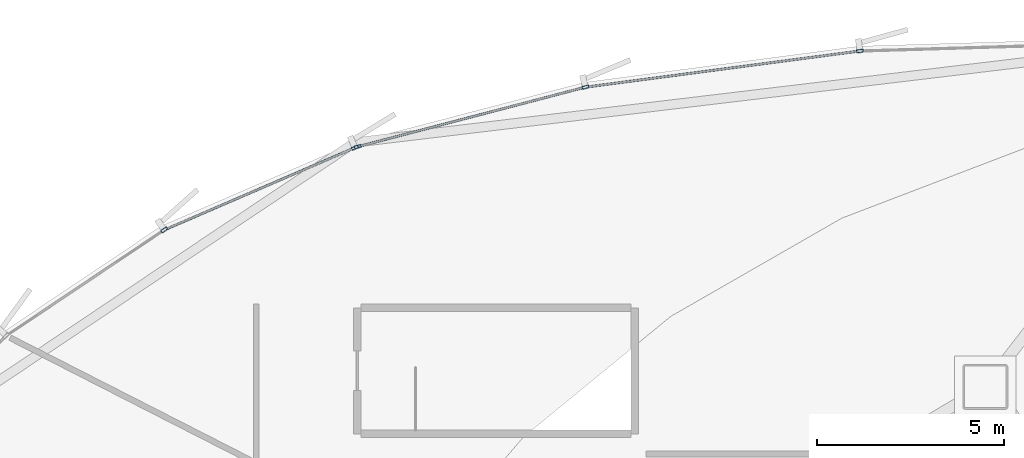
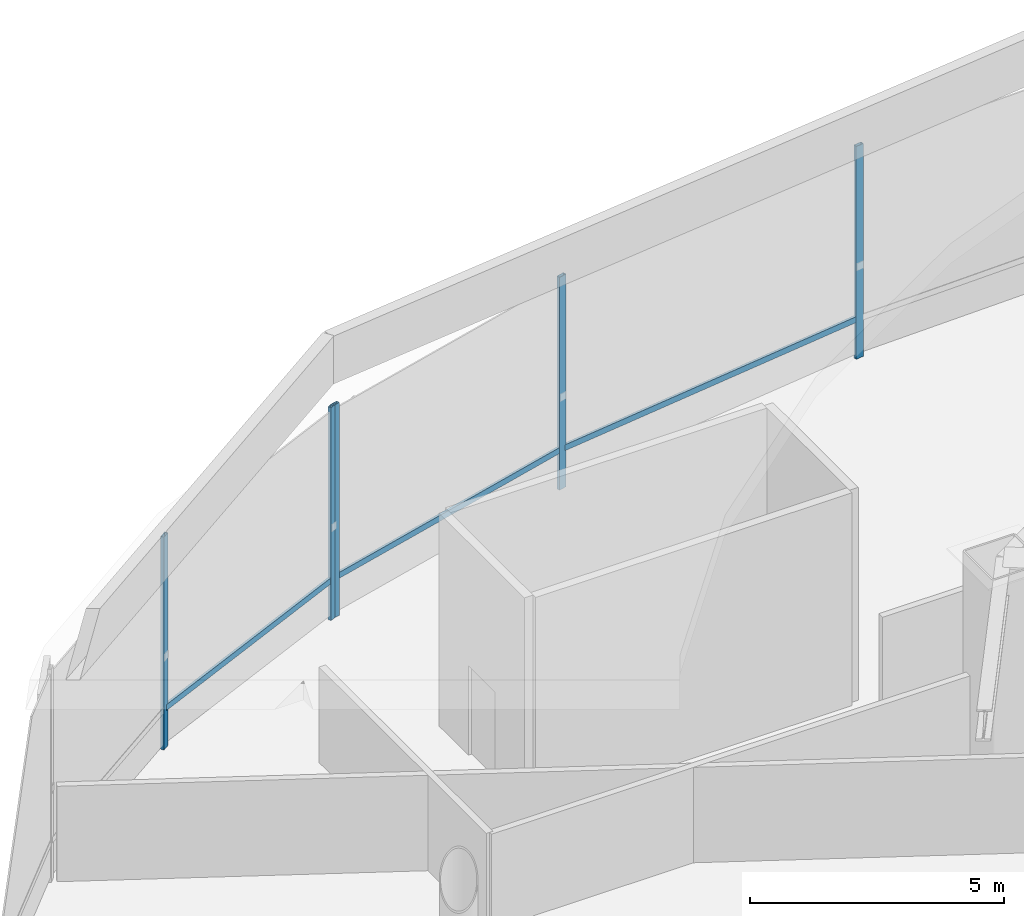
# One storey, part 14 of 36: 8 members, 2 elements without a shape of their own.
"""IFC4 building model written with IfcOpenShell, lengths in metres."""

from ifc_helpers import new_model, si_unit, direction, frame, origin, origin_2d, place, context, subcontext, project, spatial, hollow_rectangle, extrude, source, transform, mapped, material, layer, layer_set, material_profile, profile_set, type_object, element, aggregate, save


model = new_model("IFC4")

# Units and contexts
model_context = context("Model", 3, precision=1e-05, world=origin(), true_north=direction((0.0, 1.0)))
body_context = subcontext(model_context, "Body", "Model", "MODEL_VIEW")
ifc_project = project(units=[si_unit("LENGTHUNIT", "METRE"), si_unit("AREAUNIT", "SQUARE_METRE"), si_unit("VOLUMEUNIT", "CUBIC_METRE"), si_unit("PLANEANGLEUNIT", "RADIAN"), si_unit("MASSUNIT", "GRAM", prefix="KILO"), si_unit("THERMODYNAMICTEMPERATUREUNIT", "KELVIN")], contexts=[model_context])

# Site, building, storey
site_placement = place(None, origin())
site = spatial("IfcSite", under=ifc_project, at=site_placement, CompositionType="ELEMENT")
building_placement = place(site_placement, origin())
building = spatial("IfcBuilding", under=site, at=building_placement, Name="Kethvar Cultural Tower", CompositionType="ELEMENT")
storey_placement = place(building_placement, frame((0.0, 0.0, 24.0)))
storey = spatial("IfcBuildingStorey", under=building, at=storey_placement, Name="L05", CompositionType="ELEMENT", Elevation=24.0)

# Curtain wall, member
ifc_material = material(Name="Aluminium 6063-T6", Category="aluminium")
ifc_layer = layer(ifc_material, 0.179931640625, Name="Aluminium 6063-T6", Category="aluminium")
ifc_layer_set = layer_set([ifc_layer], Name="Aluminium 6063-T6 (180 mm)")
curtain_wall_type = type_object("IfcCurtainWallType", Name="CW-SYS-01-POD", PredefinedType="NOTDEFINED", material=ifc_layer_set)
curtain_wall_1_placement = place(storey_placement, origin())
curtain_wall_1 = element("IfcCurtainWall", 1, at=curtain_wall_1_placement, inside=storey, type_object=curtain_wall_type, Name="L05 Curtain Wall Run 03", PredefinedType="NOTDEFINED")
ifc_material_profile_1 = material_profile(ifc_material, hollow_rectangle(XDim=0.06005859375, YDim=0.139892578125, WallThickness=0.0048828125, at=origin_2d()), Name="Aluminium 6063-T6 — RHS140x60x5")
ifc_profile_set_1 = profile_set([ifc_material_profile_1], Name="Aluminium 6063-T6 — RHS140x60x5")
member_type_1 = type_object("IfcMemberType", Name="CW-SYS-01-POD-TRN", PredefinedType="USERDEFINED", material=ifc_profile_set_1)
shared_shape_1 = source(origin(), body_context, "Body", "SweptSolid", [
    extrude(hollow_rectangle(XDim=0.06005859375, YDim=0.139892578125, WallThickness=0.0048828125, at=origin_2d()), origin(), (0.0, 0.0, 1.0), 5.504638671875),
])
member_1_placement = place(storey_placement, frame((17.82861328125, 52.3681640625, 0.949951171875), z_axis=(-0.918072625283, -0.39641222825, 0.0), x_axis=(0.39641222825, -0.918072625283, 0.0)))
member_1 = element("IfcMember", 2, at=member_1_placement, type_object=member_type_1, Name="CW-L05-R03 Transom 1", ObjectType="TRANSOM", PredefinedType="USERDEFINED", context=body_context, shape_type="MappedRepresentation", body=[
    mapped(shared_shape_1, transform((0.0, 0.0, 0.0), scale=1.0)),
])

# Curtain wall, members
curtain_wall_2_placement = place(storey_placement, origin())
curtain_wall_2 = element("IfcCurtainWall", 3, at=curtain_wall_2_placement, inside=storey, type_object=curtain_wall_type, Name="L05 Curtain Wall Run 02", PredefinedType="NOTDEFINED")
shared_shape_2 = source(origin(), body_context, "Body", "SweptSolid", [
    extrude(hollow_rectangle(XDim=0.06005859375, YDim=0.139892578125, WallThickness=0.0048828125, at=origin_2d()), origin(), (0.0, 0.0, 1.0), 7.28955078125),
])
member_2_placement = place(storey_placement, frame((31.24755859375, 54.94091796875, 0.949951171875), z_axis=(-0.9914326226, -0.13061912128, 0.0), x_axis=(0.13061912128, -0.9914326226, 0.0)))
member_2 = element("IfcMember", 4, at=member_2_placement, type_object=member_type_1, Name="CW-L05-R02 Transom 5", ObjectType="TRANSOM", PredefinedType="USERDEFINED", context=body_context, shape_type="MappedRepresentation", body=[
    mapped(shared_shape_2, transform((0.0, 0.0, 0.0), scale=1.0)),
])
shared_shape_3 = source(origin(), body_context, "Body", "SweptSolid", [
    extrude(hollow_rectangle(XDim=0.06005859375, YDim=0.139892578125, WallThickness=0.0048828125, at=origin_2d()), origin(), (0.0, 0.0, 1.0), 6.221435546875),
])
member_3_placement = place(storey_placement, frame((23.930908203125, 53.97119140625, 0.949951171875), z_axis=(-0.967458727109, -0.253028874519, 0.0), x_axis=(0.253028874519, -0.967458727109, 0.0)))
member_3 = element("IfcMember", 5, at=member_3_placement, type_object=member_type_1, Name="CW-L05-R02 Transom 6", ObjectType="TRANSOM", PredefinedType="USERDEFINED", context=body_context, shape_type="MappedRepresentation", body=[
    mapped(shared_shape_3, transform((0.0, 0.0, 0.0), scale=1.0)),
])
ifc_material_profile_2 = material_profile(ifc_material, hollow_rectangle(XDim=0.074951171875, YDim=0.179931640625, WallThickness=0.006103515625, at=origin_2d()), Name="Aluminium 6063-T6 — RHS180x75x6")
ifc_profile_set_2 = profile_set([ifc_material_profile_2], Name="Aluminium 6063-T6 — RHS180x75x6")
member_type_2 = type_object("IfcMemberType", Name="CW-SYS-01-POD-MUL", PredefinedType="MULLION", material=ifc_profile_set_2)
shared_shape_4 = source(origin(), body_context, "Body", "SweptSolid", [
    extrude(hollow_rectangle(XDim=0.074951171875, YDim=0.179931640625, WallThickness=0.006103515625, at=origin_2d()), origin(), (0.0, 0.0, 1.0), 5.1201171875),
])
member_4_placement = place(storey_placement, frame((31.301025390625, 54.947998046875, 0.0), z_axis=(0.0, 0.0, 1.0), x_axis=(0.130647319086, -0.991428907192, 0.0)))
member_4 = element("IfcMember", 6, at=member_4_placement, type_object=member_type_2, Name="CW-L05-R02 Mullion 5", PredefinedType="MULLION", context=body_context, shape_type="MappedRepresentation", body=[
    mapped(shared_shape_4, transform((0.0, 0.0, 0.0), scale=1.0)),
])
member_5_placement = place(storey_placement, frame((23.98291015625, 53.984619140625, 0.0), z_axis=(0.0, 0.0, 1.0), x_axis=(0.253031946887, -0.967457923558, 0.0)))
member_5 = element("IfcMember", 7, at=member_5_placement, type_object=member_type_2, Name="CW-L05-R02 Mullion 6", PredefinedType="MULLION", context=body_context, shape_type="MappedRepresentation", body=[
    mapped(shared_shape_4, transform((0.0, 0.0, 0.0), scale=1.0)),
])
member_6_placement = place(storey_placement, frame((17.90673828125, 52.3955078125, 0.0), z_axis=(0.0, 0.0, 1.0), x_axis=(0.253031946887, -0.967457923558, 0.0)))
member_6 = element("IfcMember", 8, at=member_6_placement, type_object=member_type_2, Name="CW-L05-R02 Mullion 7", PredefinedType="MULLION", context=body_context, shape_type="MappedRepresentation", body=[
    mapped(shared_shape_4, transform((0.0, 0.0, 0.0), scale=1.0)),
])
aggregate(curtain_wall_2, [member_4, member_5, member_6, member_2, member_3])

# Member
member_7_placement = place(storey_placement, frame((17.83349609375, 52.370361328125, 0.0), z_axis=(0.0, 0.0, 1.0), x_axis=(0.396410942082, -0.918073180633, 0.0)))
member_7 = element("IfcMember", 9, at=member_7_placement, type_object=member_type_2, Name="CW-L05-R03 Mullion 1", PredefinedType="MULLION", context=body_context, shape_type="MappedRepresentation", body=[
    mapped(shared_shape_4, transform((0.0, 0.0, 0.0), scale=1.0)),
])

member_8_placement = place(storey_placement, frame((12.74609375, 50.176025390625, 0.0), z_axis=(0.0, 0.0, 1.0), x_axis=(0.556556649514, -0.830809662848, 0.0)))
member_8 = element("IfcMember", 10, at=member_8_placement, type_object=member_type_2, Name="CW-L05-R03 Mullion 2", PredefinedType="MULLION", context=body_context, shape_type="MappedRepresentation", body=[
    mapped(shared_shape_4, transform((0.0, 0.0, 0.0), scale=1.0)),
])

aggregate(curtain_wall_1, [member_7, member_8, member_1])

save(model, "model.ifc")
